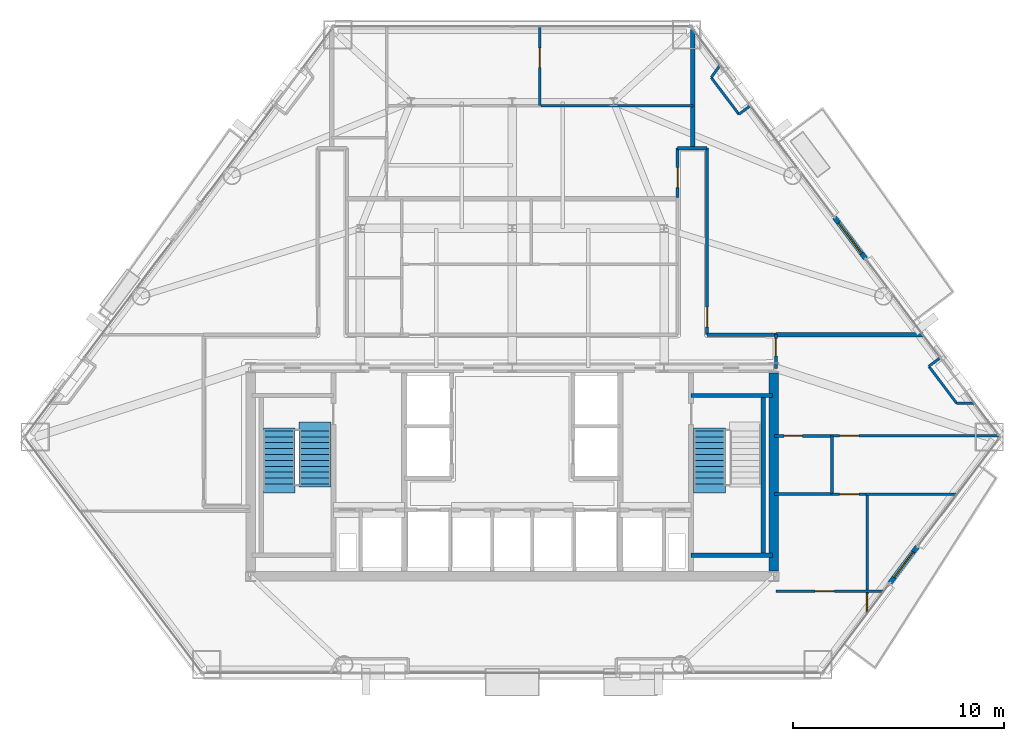
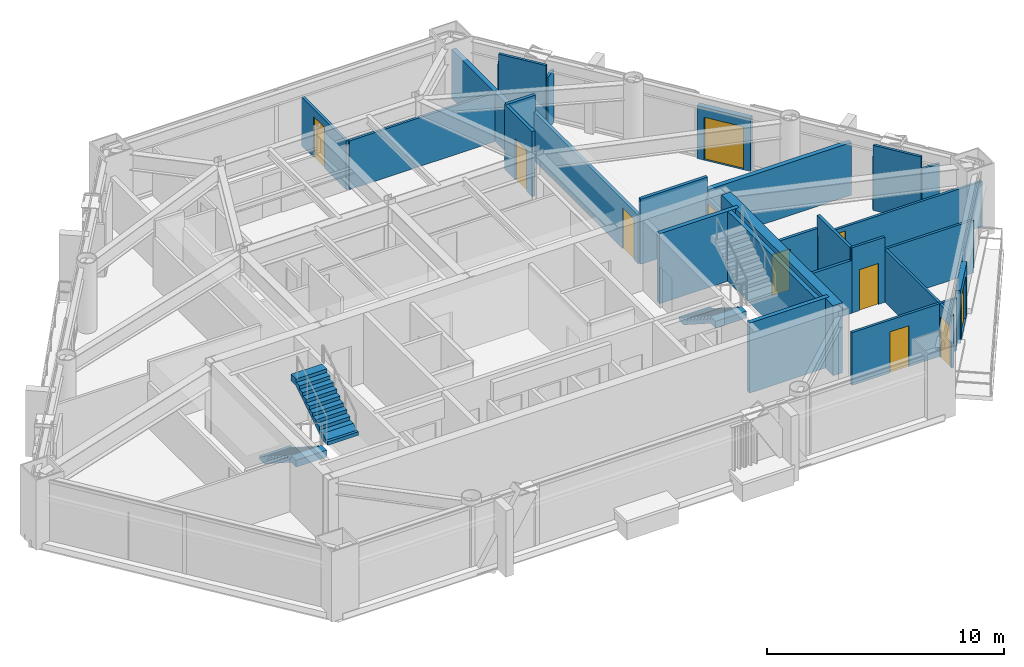
# One storey, part 8 of 11: 29 walls, 11 doors, 3 stair flights, 11 openings, 2 elements without a shape of their own.
"""IFC4 building model written with IfcOpenShell, lengths in metres."""

import ifcopenshell
import ifcopenshell.guid

model = None  # the IFC model being written
_history = None  # IfcOwnerHistory: only IFC2X3 demands one
_inside = {}  # id of a spatial element -> (the spatial element, [elements in it])
_under = {}  # id of a project, library or spatial element -> (it, [spatial elements below it])
_declared = {}  # id of a project -> (the project, [libraries it declares])
_typed = {}  # id of a type object -> (the type object, [elements of that type])
_made_of = {}  # id of a material, layer set ... -> (it, [elements and type objects made of it])


def new_model(schema):
    """Start an empty IFC model of exactly this schema.

    Asked for "IFC4X3", IfcOpenShell would pick the latest addendum, in which some entities
    have other attributes; the version numbers below select the first issue.
    IFC2X3 requires an IfcOwnerHistory on every rooted entity: one is made here for all.
    """
    global model, _history
    if schema == "IFC4X3":
        model = ifcopenshell.file(schema_version=(4, 3, 0, 0))
    else:
        model = ifcopenshell.file(schema=schema)
    _inside.clear()
    _under.clear()
    _declared.clear()
    _typed.clear()
    _made_of.clear()
    _history = None
    if model.schema == "IFC2X3":
        org = make("IfcOrganization", Name="unknown")
        user = make(
            "IfcPersonAndOrganization",
            ThePerson=make("IfcPerson", FamilyName="unknown"),
            TheOrganization=org,
        )
        app = make(
            "IfcApplication",
            ApplicationDeveloper=org,
            Version="unknown",
            ApplicationFullName="unknown",
            ApplicationIdentifier="unknown",
        )
        _history = make(
            "IfcOwnerHistory",
            OwningUser=user,
            OwningApplication=app,
            ChangeAction="ADDED",
            CreationDate=0,
        )
    return model


def make(cls, **values):
    """One entity of the class cls with the attributes given. An attribute that is None is left unset."""
    return model.create_entity(
        cls, **{name: value for name, value in values.items() if value is not None}
    )


def rooted(cls, **values):
    """An entity with a GlobalId (a new one), such as an element, a storey or a relation."""
    return make(cls, GlobalId=ifcopenshell.guid.new(), OwnerHistory=_history, **values)


def si_unit(unit_type, name, prefix=None):
    """IfcSIUnit, for example si_unit("LENGTHUNIT", "METRE", prefix="MILLI")."""
    return make("IfcSIUnit", UnitType=unit_type, Prefix=prefix, Name=name)


def assignment(units):
    """IfcUnitAssignment: the units of a project."""
    return None if units is None else make("IfcUnitAssignment", Units=units)


def point(xyz):
    """IfcCartesianPoint."""
    return None if xyz is None else make("IfcCartesianPoint", Coordinates=xyz)


def direction(xyz):
    """IfcDirection."""
    return None if xyz is None else make("IfcDirection", DirectionRatios=xyz)


def frame(location, z_axis=None, x_axis=None):
    """IfcAxis2Placement3D, a coordinate frame: its origin and axes. An axis left out is left unset."""
    return make(
        "IfcAxis2Placement3D",
        Location=point(location),
        Axis=direction(z_axis),
        RefDirection=direction(x_axis),
    )


def frame_2d(location, x_axis=None):
    """IfcAxis2Placement2D, a coordinate frame in the plane: its origin and x axis."""
    return make(
        "IfcAxis2Placement2D", Location=point(location), RefDirection=direction(x_axis)
    )


def origin():
    """The frame at (0, 0, 0) with its axes left unset."""
    return frame((0.0, 0.0, 0.0))


def place(relative_to, where):
    """IfcLocalPlacement: puts the frame where relative to a parent placement (None: the world)."""
    return make(
        "IfcLocalPlacement", PlacementRelTo=relative_to, RelativePlacement=where
    )


def context(
    kind, dimensions, precision=None, world=None, true_north=None, identifier=None
):
    """IfcGeometricRepresentationContext, for example the 3D "Model" context."""
    return make(
        "IfcGeometricRepresentationContext",
        ContextIdentifier=identifier,
        ContextType=kind,
        CoordinateSpaceDimension=dimensions,
        Precision=precision,
        WorldCoordinateSystem=world,
        TrueNorth=true_north,
    )


def subcontext(parent, identifier, kind, view, scale=None):
    """IfcGeometricRepresentationSubContext, for example "Body" below "Model"."""
    return make(
        "IfcGeometricRepresentationSubContext",
        ContextIdentifier=identifier,
        ContextType=kind,
        ParentContext=parent,
        TargetScale=scale,
        TargetView=view,
    )


def project(units=None, contexts=None):
    """IfcProject with its units and contexts."""
    return rooted(
        "IfcProject",
        Name="project",
        RepresentationContexts=contexts,
        UnitsInContext=assignment(units),
    )


def spatial(cls, under=None, at=None, **own):
    """A site, building, storey or space (cls), placed at a placement, below another one or the project."""
    s = rooted(cls, ObjectPlacement=at, **own)
    if under is not None:
        _under.setdefault(under.id(), (under, []))[1].append(s)
    return s


def polyline(points):
    """IfcPolyline through the points."""
    return make("IfcPolyline", Points=[point(p) for p in points])


def profile(cls, at=None, kind="AREA", **sizes):
    """A parametric profile (cls). Its sizes go by their IFC names, for example OverallWidth=200.0."""
    return make(cls, ProfileType=kind, Position=at, **sizes)


def rectangle(**sizes):
    """IfcRectangleProfileDef."""
    return profile("IfcRectangleProfileDef", **sizes)


def outline(outer, holes=None, kind="AREA"):
    """IfcArbitraryClosedProfileDef: a profile drawn as a closed curve; with holes, ...WithVoids."""
    if holes is None:
        return make("IfcArbitraryClosedProfileDef", ProfileType=kind, OuterCurve=outer)
    return make(
        "IfcArbitraryProfileDefWithVoids",
        ProfileType=kind,
        OuterCurve=outer,
        InnerCurves=holes,
    )


def extrude(swept, where, along, depth):
    """IfcExtrudedAreaSolid: the profile swept, set in the frame where, extruded along a direction by depth."""
    return make(
        "IfcExtrudedAreaSolid",
        SweptArea=swept,
        Position=where,
        ExtrudedDirection=direction(along),
        Depth=depth,
    )


def shape(context_of_items, identifier, shape_type, items):
    """IfcShapeRepresentation: the items that make up one representation, for example the "Body"."""
    return make(
        "IfcShapeRepresentation",
        ContextOfItems=context_of_items,
        RepresentationIdentifier=identifier,
        RepresentationType=shape_type,
        Items=items,
    )


def material(Name=None, Category=None):
    """IfcMaterial."""
    return make("IfcMaterial", Name=Name, Category=Category)


def layer(
    of_material, thickness, ventilated=None, Name=None, Category=None, Priority=None
):
    """IfcMaterialLayer: one layer of a wall or slab, of a material (None: an air gap)."""
    return make(
        "IfcMaterialLayer",
        Material=of_material,
        LayerThickness=thickness,
        IsVentilated=ventilated,
        Name=Name,
        Category=Category,
        Priority=Priority,
    )


def layer_set(layers, Name=None):
    """IfcMaterialLayerSet."""
    return make("IfcMaterialLayerSet", MaterialLayers=layers, LayerSetName=Name)


def made_of(thing, what):
    """Note that an element or type object is made of a material, layer set ...; save() writes the relation."""
    if what is not None:
        _made_of.setdefault(what.id(), (what, []))[1].append(thing)
    return thing


def type_object(cls, material=None, **own):
    """A type object (cls), such as IfcWallType, which elements share."""
    return made_of(rooted(cls, **own), material)


def element(
    cls,
    number,
    at=None,
    inside=None,
    cuts=None,
    type_object=None,
    material=None,
    context=None,
    identifier="Body",
    shape_type=None,
    held_by="IfcProductDefinitionShape",
    body=None,
    shapes=None,
    **own,
):
    """One element of the class cls, such as IfcWall. Its Tag is "e" and its number.

    at: its placement. inside: the storey or other place that contains it. cuts: it is an
    opening in that element (IfcRelVoidsElement). A single representation is given by context,
    identifier, shape_type and body (its items); several are given by shapes. held_by: the class
    of the entity that holds the representations. save() writes the other relations.
    """
    e = rooted(cls, Tag="e%d" % number, ObjectPlacement=at, **own)
    if body is not None:
        shapes = [shape(context, identifier, shape_type, body)]
    if shapes is not None:
        e.Representation = make(held_by, Representations=shapes)
    if inside is not None:
        _inside.setdefault(inside.id(), (inside, []))[1].append(e)
    if cuts is not None:
        rooted(
            "IfcRelVoidsElement", RelatingBuildingElement=cuts, RelatedOpeningElement=e
        )
    if type_object is not None:
        _typed.setdefault(type_object.id(), (type_object, []))[1].append(e)
    return made_of(e, material)


def fill(opening, filler):
    """IfcRelFillsElement: the door or window that sits in an opening."""
    return rooted(
        "IfcRelFillsElement",
        RelatingOpeningElement=opening,
        RelatedBuildingElement=filler,
    )


def aggregate(whole, parts):
    """IfcRelAggregates: a whole, such as a stair, and the parts it consists of."""
    return rooted("IfcRelAggregates", RelatingObject=whole, RelatedObjects=parts)


def save(model, path):
    """Write the relations noted so far, then the file.

    IfcRelAggregates (storeys below a building ...), IfcRelContainedInSpatialStructure (elements
    in a storey), IfcRelDefinesByType, IfcRelAssociatesMaterial and IfcRelDeclares: one each for
    every whole, place, type object, material and project.
    """
    for whole, parts in _under.values():
        aggregate(whole, parts)
    for where, things in _inside.values():
        rooted(
            "IfcRelContainedInSpatialStructure",
            RelatedElements=things,
            RelatingStructure=where,
        )
    for kind, things in _typed.values():
        rooted("IfcRelDefinesByType", RelatedObjects=things, RelatingType=kind)
    for what, things in _made_of.values():
        rooted("IfcRelAssociatesMaterial", RelatedObjects=things, RelatingMaterial=what)
    for by, libraries in _declared.values():
        rooted("IfcRelDeclares", RelatingContext=by, RelatedDefinitions=libraries)
    model.write(path)


model = new_model("IFC4")

# Units and contexts
model_context = context("Model", 3, precision=1e-05, world=origin(), true_north=direction((0.0, 1.0)))
body_context = subcontext(model_context, "Body", "Model", "MODEL_VIEW")
ifc_project = project(units=[si_unit("LENGTHUNIT", "METRE"), si_unit("AREAUNIT", "SQUARE_METRE"), si_unit("VOLUMEUNIT", "CUBIC_METRE"), si_unit("PLANEANGLEUNIT", "RADIAN"), si_unit("MASSUNIT", "GRAM", prefix="KILO")], contexts=[model_context])

# Site, building, storey
site_placement = place(None, origin())
site = spatial("IfcSite", under=ifc_project, at=site_placement, CompositionType="ELEMENT")
building_placement = place(site_placement, origin())
building = spatial("IfcBuilding", under=site, at=building_placement, Name="Talgorran Terracotta Tower", CompositionType="ELEMENT")
storey_placement = place(building_placement, frame((0.0, 0.0, 27.89990234375)))
storey = spatial("IfcBuildingStorey", under=building, at=storey_placement, Name="L06", CompositionType="ELEMENT", Elevation=27.89990234375)

# Wall, opening, door
ifc_material_1 = material(Name="Concrete C40/50", Category="concrete")
ifc_layer_1 = layer(ifc_material_1, 0.239990234375, Name="WT_BALCONY_SPAND")
ifc_layer_set_1 = layer_set([ifc_layer_1], Name="Concrete C40/50")
wall_type_1 = type_object("IfcWallType", Name="WT_BALCONY_SPAND", PredefinedType="STANDARD", material=ifc_layer_set_1)
wall_1_placement = place(storey_placement, frame((16.753173828125, 0.968505859375, -0.014892578125), z_axis=(0.0, 0.0, 1.0), x_axis=(-0.601871511513, 0.798592939882, 0.0)))
wall_1 = element("IfcWall", 1, at=wall_1_placement, inside=storey, type_object=wall_type_1, Name="WL-L06-BALP-BAL-NE", PredefinedType="STANDARD", context=body_context, shape_type="SweptSolid", body=[
    extrude(rectangle(XDim=2.43994140625, YDim=0.239990234375, at=frame_2d((1.219970703125, 0.0))), origin(), (0.0, 0.0, 1.0), 2.728271484375),
])
opening_1_placement = place(wall_1_placement, frame((0.320068359375, 0.0, 0.014892578125)))
opening_1 = element("IfcOpeningElement", 2, at=opening_1_placement, cuts=wall_1, Name="Opening D-BAL-L06-1", PredefinedType="OPENING", context=body_context, shape_type="SweptSolid", body=[
    extrude(rectangle(XDim=1.806048828125, YDim=2.203951171875, at=frame_2d((0.89990234375, 1.10205078125))), frame((0.0, 0.1298828125, 0.0), z_axis=(0.0, -1.0, 0.0), x_axis=(1.0, 0.0, 0.0)), (0.0, 0.0, 1.0), 0.260009765625),
])
ifc_material_2 = material(Name="Thermally Broken Aluminium", Category="aluminium")
door_type_1 = type_object("IfcDoorType", Name="DT_BALC_1800", OperationType="SLIDING_TO_LEFT", PredefinedType="DOOR", material=ifc_material_2)
door_1_placement = place(opening_1_placement, origin())
door_1 = element("IfcDoor", 3, at=door_1_placement, inside=storey, type_object=door_type_1, Name="DR-L06-BAL-BAL-NE", OperationType="SLIDING_TO_LEFT", OverallHeight=2.199951171875, OverallWidth=1.800048828125, PredefinedType="DOOR", context=body_context, shape_type="SweptSolid", body=[
    extrude(rectangle(XDim=1.800048828125, YDim=2.199951171875, at=frame_2d((0.89990234375, 1.10009765625))), frame((0.0, 0.02490234375, 0.0), z_axis=(0.0, -1.0, 0.0), x_axis=(1.0, 0.0, 0.0)), (0.0, 0.0, 1.0), 0.050048828125),
])
fill(opening_1, door_1)

wall_2_placement = place(storey_placement, frame((17.9169921875, -14.404541015625, -0.014892578125), z_axis=(0.0, 0.0, 1.0), x_axis=(0.601896635284, 0.798574004357, 0.0)))
wall_2 = element("IfcWall", 4, at=wall_2_placement, inside=storey, type_object=wall_type_1, Name="WL-L06-BALP-BAL-SE", PredefinedType="STANDARD", context=body_context, shape_type="SweptSolid", body=[
    extrude(rectangle(XDim=2.14013671875, YDim=0.239990234375, at=frame_2d((1.070068359375, 0.0))), origin(), (0.0, 0.0, 1.0), 2.728271484375),
])
opening_2_placement = place(wall_2_placement, frame((0.320068359375, 0.0, 0.014892578125)))
opening_2 = element("IfcOpeningElement", 5, at=opening_2_placement, cuts=wall_2, Name="Opening D-BAL-L06-3", PredefinedType="OPENING", context=body_context, shape_type="SweptSolid", body=[
    extrude(rectangle(XDim=1.506, YDim=2.203951171875, at=frame_2d((0.75, 1.10205078125))), frame((0.0, 0.1298828125, 0.0), z_axis=(0.0, -1.0, 0.0), x_axis=(1.0, 0.0, 0.0)), (0.0, 0.0, 1.0), 0.260009765625),
])
door_type_2 = type_object("IfcDoorType", Name="DT_BALC_1500", OperationType="SLIDING_TO_RIGHT", PredefinedType="DOOR", material=ifc_material_2)
door_2_placement = place(opening_2_placement, origin())
door_2 = element("IfcDoor", 6, at=door_2_placement, inside=storey, type_object=door_type_2, Name="DR-L06-BAL-BAL-SE", OperationType="SLIDING_TO_RIGHT", OverallHeight=2.199951171875, OverallWidth=1.5, PredefinedType="DOOR", context=body_context, shape_type="SweptSolid", body=[
    extrude(rectangle(XDim=1.5, YDim=2.199951171875, at=frame_2d((0.75, 1.10009765625))), frame((0.0, 0.02490234375, 0.0), z_axis=(0.0, -1.0, 0.0), x_axis=(1.0, 0.0, 0.0)), (0.0, 0.0, 1.0), 0.050048828125),
])
fill(opening_2, door_2)

# Walls
ifc_material_3 = material(Name="Concrete C50/60", Category="concrete")
ifc_layer_2 = layer(ifc_material_3, 0.199951171875, Name="WT_CORE_200")
ifc_layer_set_2 = layer_set([ifc_layer_2], Name="Concrete C50/60")
wall_type_2 = type_object("IfcWallType", Name="WT_CORE_200", PredefinedType="SOLIDWALL", material=ifc_layer_set_2)
for number, where, z_axis, x_axis, name in (
    (7, (8.47998046875, -5.52001953125, 0.0), (0.0, 0.0, 1.0), (1.0, 0.0, 0.0), "WL-L06-CW-ST2-N"),
    (8, (8.47998046875, -13.10009765625, 0.0), (0.0, 0.0, 1.0), (1.0, 0.0, 0.0), "WL-L06-CW-ST2-S"),
):
    element("IfcWall", number, at=place(storey_placement, frame(where, z_axis=z_axis, x_axis=x_axis)), inside=storey, type_object=wall_type_2, Name=name, PredefinedType="SOLIDWALL", context=body_context, shape_type="SweptSolid", body=[
        extrude(rectangle(XDim=3.8701171875, YDim=0.199951171875, at=frame_2d((1.93505859375, 0.0))), origin(), (0.0, 0.0, 1.0), 3.60009765625),
    ])
wall_3_placement = place(storey_placement, frame((11.89990234375, -13.10009765625, 0.0), z_axis=(0.0, 0.0, 1.0), x_axis=(0.0, 1.0, 0.0)))
element("IfcWall", 9, at=wall_3_placement, inside=storey, type_object=wall_type_2, Name="WL-L06-CW-ST2-E", PredefinedType="SOLIDWALL", context=body_context, shape_type="SweptSolid", body=[
    extrude(rectangle(XDim=7.580078125, YDim=0.199951171875, at=frame_2d((3.7900390625, 0.0))), origin(), (0.0, 0.0, 1.0), 3.60009765625),
])
ifc_material_4 = material(Name="Concrete C65/80", Category="concrete")
ifc_layer_3 = layer(ifc_material_4, 0.449951171875, Name="WT_CORE_EXT")
ifc_layer_set_3 = layer_set([ifc_layer_3], Name="Concrete C65/80")
wall_type_3 = type_object("IfcWallType", Name="WT_CORE_EXT", PredefinedType="SHEAR", material=ifc_layer_set_3)
wall_4_placement = place(storey_placement, frame((12.39990234375, -13.85009765625, 0.0), z_axis=(0.0, 0.0, 1.0), x_axis=(0.0, 1.0, 0.0)))
element("IfcWall", 10, at=wall_4_placement, inside=storey, type_object=wall_type_3, Name="WL-L06-CW-OUT-E", PredefinedType="SHEAR", context=body_context, shape_type="SweptSolid", body=[
    extrude(rectangle(XDim=9.400146484375, YDim=0.449951171875, at=frame_2d((4.7001953125, 0.0))), origin(), (0.0, 0.0, 1.0), 3.60009765625),
])

# Wall, opening, door
ifc_material_5 = material(Name="Fire-Rated Steel Stud Plasterboard", Category="steel")
ifc_layer_4 = layer(ifc_material_5, 0.14990234375, Name="WT_FIRE_150")
ifc_layer_set_4 = layer_set([ifc_layer_4], Name="Fire-Rated Steel Stud Plasterboard")
wall_type_4 = type_object("IfcWallType", Name="WT_FIRE_150", PredefinedType="PARTITIONING", material=ifc_layer_set_4)
wall_5_placement = place(storey_placement, frame((9.239990234375, -2.639892578125, 0.0), z_axis=(0.0, 0.0, 1.0), x_axis=(0.0, 1.0, 0.0)))
wall_5 = element("IfcWall", 11, at=wall_5_placement, inside=storey, type_object=wall_type_4, Name="WL-L06-W-L06-R18", PredefinedType="PARTITIONING", context=body_context, shape_type="SweptSolid", body=[
    extrude(rectangle(XDim=8.83984375, YDim=0.14990234375, at=frame_2d((4.419921875, 0.0))), origin(), (0.0, 0.0, 1.0), 2.509033203125),
])
opening_3_placement = place(wall_5_placement, frame((0.359130859375, 0.0, 0.0)))
opening_3 = element("IfcOpeningElement", 12, at=opening_3_placement, cuts=wall_5, Name="Opening DR-L06-R19", PredefinedType="OPENING", context=body_context, shape_type="SweptSolid", body=[
    extrude(rectangle(XDim=0.955951171875, YDim=2.10409765625, at=frame_2d((0.47509765625, 1.052001953125))), frame((0.0, 0.0849609375, 0.0), z_axis=(0.0, -1.0, 0.0), x_axis=(1.0, 0.0, 0.0)), (0.0, 0.0, 1.0), 0.169921875),
])
ifc_material_6 = material(Name="Fire-Rated Timber Core", Category="wood")
door_type_3 = type_object("IfcDoorType", Name="DT_FIRE_950", OperationType="NOTDEFINED", PredefinedType="DOOR", material=ifc_material_6)
door_3_placement = place(opening_3_placement, origin())
door_3 = element("IfcDoor", 13, at=door_3_placement, inside=storey, type_object=door_type_3, Name="DR-L06-R19", OperationType="SINGLE_SWING_LEFT", OverallHeight=2.10009765625, OverallWidth=0.949951171875, PredefinedType="DOOR", context=body_context, shape_type="SweptSolid", body=[
    extrude(rectangle(XDim=0.949951171875, YDim=2.10009765625, at=frame_2d((0.47509765625, 1.050048828125))), frame((0.0, 0.02490234375, 0.0), z_axis=(0.0, -1.0, 0.0), x_axis=(1.0, 0.0, 0.0)), (0.0, 0.0, 1.0), 0.050048828125),
])
fill(opening_3, door_3)

# Wall
wall_6_placement = place(storey_placement, frame((9.239990234375, -2.639892578125, 0.0), z_axis=(0.0, 0.0, 1.0), x_axis=(1.0, 0.0, 0.0)))
element("IfcWall", 14, at=wall_6_placement, inside=storey, type_object=wall_type_4, Name="WL-L06-W-L06-R19", PredefinedType="PARTITIONING", context=body_context, shape_type="SweptSolid", body=[
    extrude(rectangle(XDim=3.260009765625, YDim=0.14990234375, at=frame_2d((1.6298828125, 0.0))), origin(), (0.0, 0.0, 1.0), 3.35009765625),
])

# Wall, opening, door
wall_7_placement = place(storey_placement, frame((7.840087890625, 3.862060546875, 0.0), z_axis=(0.0, 0.0, 1.0), x_axis=(0.0, 1.0, 0.0)))
wall_7 = element("IfcWall", 15, at=wall_7_placement, inside=storey, type_object=wall_type_4, Name="WL-L06-W-L06-R15", PredefinedType="PARTITIONING", context=body_context, shape_type="SweptSolid", body=[
    extrude(rectangle(XDim=2.337890625, YDim=0.14990234375, at=frame_2d((1.1689453125, 0.0))), origin(), (0.0, 0.0, 1.0), 3.35009765625),
])
opening_4_placement = place(wall_7_placement, frame((0.47412109375, 0.0, 0.0)))
opening_4 = element("IfcOpeningElement", 16, at=opening_4_placement, cuts=wall_7, Name="Opening DR-L06-R16", PredefinedType="OPENING", context=body_context, shape_type="SweptSolid", body=[
    extrude(rectangle(XDim=0.955951171875, YDim=2.10409765625, at=frame_2d((0.47509765625, 1.052001953125))), frame((0.0, 0.0849609375, 0.0), z_axis=(0.0, -1.0, 0.0), x_axis=(1.0, 0.0, 0.0)), (0.0, 0.0, 1.0), 0.169921875),
])
door_4_placement = place(opening_4_placement, origin())
door_4 = element("IfcDoor", 17, at=door_4_placement, inside=storey, type_object=door_type_3, Name="DR-L06-R16", OperationType="SINGLE_SWING_RIGHT", OverallHeight=2.10009765625, OverallWidth=0.949951171875, PredefinedType="DOOR", context=body_context, shape_type="SweptSolid", body=[
    extrude(rectangle(XDim=0.949951171875, YDim=2.10009765625, at=frame_2d((0.47509765625, 1.050048828125))), frame((0.0, 0.02490234375, 0.0), z_axis=(0.0, -1.0, 0.0), x_axis=(1.0, 0.0, 0.0)), (0.0, 0.0, 1.0), 0.050048828125),
])
fill(opening_4, door_4)

wall_8_placement = place(storey_placement, frame((12.5, -4.239990234375, 0.0), z_axis=(0.0, 0.0, 1.0), x_axis=(0.0, 1.0, 0.0)))
wall_8 = element("IfcWall", 18, at=wall_8_placement, inside=storey, type_object=wall_type_4, Name="WL-L06-W-L06-R03", PredefinedType="PARTITIONING", context=body_context, shape_type="SweptSolid", body=[
    extrude(rectangle(XDim=1.60009765625, YDim=0.14990234375, at=frame_2d((0.800048828125, 0.0))), origin(), (0.0, 0.0, 1.0), 2.3251953125),
])
opening_5_placement = place(wall_8_placement, frame((0.602294921875, 0.0, 0.0)))
opening_5 = element("IfcOpeningElement", 19, at=opening_5_placement, cuts=wall_8, Name="Opening DR-L06-R03", PredefinedType="OPENING", context=body_context, shape_type="SweptSolid", body=[
    extrude(rectangle(XDim=0.826068359375, YDim=2.10409765625, at=frame_2d((0.41015625, 1.052001953125))), frame((0.0, 0.0849609375, 0.0), z_axis=(0.0, -1.0, 0.0), x_axis=(1.0, 0.0, 0.0)), (0.0, 0.0, 1.0), 0.169921875),
])
ifc_material_7 = material(Name="Moisture-Resistant Solid Timber", Category="wood")
door_type_4 = type_object("IfcDoorType", Name="DT_INT_820", OperationType="NOTDEFINED", PredefinedType="DOOR", material=ifc_material_7)
door_5_placement = place(opening_5_placement, origin())
door_5 = element("IfcDoor", 20, at=door_5_placement, inside=storey, type_object=door_type_4, Name="DR-L06-R03", OperationType="SINGLE_SWING_LEFT", OverallHeight=2.10009765625, OverallWidth=0.820068359375, PredefinedType="DOOR", context=body_context, shape_type="SweptSolid", body=[
    extrude(rectangle(XDim=0.820068359375, YDim=2.10009765625, at=frame_2d((0.41015625, 1.050048828125))), frame((0.0, 0.02490234375, 0.0), z_axis=(0.0, -1.0, 0.0), x_axis=(1.0, 0.0, 0.0)), (0.0, 0.0, 1.0), 0.050048828125),
])
fill(opening_5, door_5)

# Walls
wall_9_placement = place(storey_placement, frame((7.840087890625, 6.199951171875, 0.0), z_axis=(0.0, 0.0, 1.0), x_axis=(1.0, 0.0, 0.0)))
element("IfcWall", 21, at=wall_9_placement, inside=storey, type_object=wall_type_4, Name="WL-L06-W-L06-R16", PredefinedType="PARTITIONING", context=body_context, shape_type="SweptSolid", body=[
    extrude(rectangle(XDim=1.39990234375, YDim=0.14990234375, at=frame_2d((0.699951171875, 0.0))), origin(), (0.0, 0.0, 1.0), 3.35009765625),
])
ifc_material_8 = material(Name="Acoustic Masonry and Plasterboard", Category="masonry")
ifc_layer_5 = layer(ifc_material_8, 0.219970703125, Name="WT_PARTY_220")
ifc_layer_set_5 = layer_set([ifc_layer_5], Name="Acoustic Masonry and Plasterboard")
wall_type_5 = type_object("IfcWallType", Name="WT_PARTY_220", PredefinedType="PARTITIONING", material=ifc_layer_set_5)
wall_10_placement = place(storey_placement, frame((12.5, -2.639892578125, 0.0), z_axis=(0.0, 0.0, 1.0), x_axis=(1.0, 0.0, 0.0)))
element("IfcWall", 22, at=wall_10_placement, inside=storey, type_object=wall_type_5, Name="WL-L06-W-L06-R24", PredefinedType="PARTITIONING", context=body_context, shape_type="SweptSolid", body=[
    extrude(rectangle(XDim=6.972412109375, YDim=0.219970703125, at=frame_2d((3.486328125, 0.0))), origin(), (0.0, 0.0, 1.0), 2.71337890625),
])
wall_11_placement = place(storey_placement, frame((8.56005859375, 6.199951171875, 0.0), z_axis=(0.0, 0.0, 1.0), x_axis=(0.0, 1.0, 0.0)))
element("IfcWall", 23, at=wall_11_placement, inside=storey, type_object=wall_type_5, Name="WL-L06-W-L06-R53", PredefinedType="PARTITIONING", context=body_context, shape_type="SweptSolid", body=[
    extrude(rectangle(XDim=5.64111328125, YDim=0.219970703125, at=frame_2d((2.820556640625, 0.0))), origin(), (0.0, 0.0, 1.0), 2.509033203125),
])

# Wall, opening, door
ifc_material_9 = material(Name="Insulated Steel Stud Plasterboard", Category="steel")
ifc_layer_6 = layer(ifc_material_9, 0.1201171875, Name="WT_PART_120")
ifc_layer_set_6 = layer_set([ifc_layer_6], Name="Insulated Steel Stud Plasterboard")
wall_type_6 = type_object("IfcWallType", Name="WT_PART_120", PredefinedType="PARTITIONING", material=ifc_layer_set_6)
wall_12_placement = place(storey_placement, frame((15.080078125, -7.43994140625, 0.0), z_axis=(0.0, 0.0, 1.0), x_axis=(1.0, 0.0, 0.0)))
wall_12 = element("IfcWall", 24, at=wall_12_placement, inside=storey, type_object=wall_type_6, Name="WL-L06-W-L06-R23", PredefinedType="PARTITIONING", context=body_context, shape_type="SweptSolid", body=[
    extrude(rectangle(XDim=8.00927734375, YDim=0.1201171875, at=frame_2d((4.004638671875, 0.0))), origin(), (0.0, 0.0, 1.0), 2.3251953125),
])
opening_6_placement = place(wall_12_placement, frame((0.439453125, 0.0, 0.0)))
opening_6 = element("IfcOpeningElement", 25, at=opening_6_placement, cuts=wall_12, Name="Opening DR-L06-R05", PredefinedType="OPENING", context=body_context, shape_type="SweptSolid", body=[
    extrude(rectangle(XDim=0.925921875, YDim=2.10409765625, at=frame_2d((0.4599609375, 1.052001953125))), frame((0.0, 0.070068359375, 0.0), z_axis=(0.0, -1.0, 0.0), x_axis=(1.0, 0.0, 0.0)), (0.0, 0.0, 1.0), 0.14013671875),
])
ifc_material_10 = material(Name="Solid-Core Painted Timber", Category="wood")
door_type_5 = type_object("IfcDoorType", Name="DT_INT_920", OperationType="NOTDEFINED", PredefinedType="DOOR", material=ifc_material_10)
door_6_placement = place(opening_6_placement, origin())
door_6 = element("IfcDoor", 26, at=door_6_placement, inside=storey, type_object=door_type_5, Name="DR-L06-R05", OperationType="SINGLE_SWING_LEFT", OverallHeight=2.10009765625, OverallWidth=0.919921875, PredefinedType="DOOR", context=body_context, shape_type="SweptSolid", body=[
    extrude(rectangle(XDim=0.919921875, YDim=2.10009765625, at=frame_2d((0.4599609375, 1.050048828125))), frame((0.0, 0.02490234375, 0.0), z_axis=(0.0, -1.0, 0.0), x_axis=(1.0, 0.0, 0.0)), (0.0, 0.0, 1.0), 0.050048828125),
])
fill(opening_6, door_6)

# Wall
wall_13_placement = place(storey_placement, frame((1.362060546875, 8.219970703125, 0.0), z_axis=(0.0, 0.0, 1.0), x_axis=(1.0, 0.0, 0.0)))
element("IfcWall", 27, at=wall_13_placement, inside=storey, type_object=wall_type_6, Name="WL-L06-W-L06-R50", PredefinedType="PARTITIONING", context=body_context, shape_type="SweptSolid", body=[
    extrude(rectangle(XDim=7.197998046875, YDim=0.1201171875, at=frame_2d((3.59912109375, 0.0))), origin(), (0.0, 0.0, 1.0), 2.509033203125),
])

# Wall, opening, door
wall_14_placement = place(storey_placement, frame((16.820068359375, -15.860595703125, 0.0), z_axis=(0.0, 0.0, 1.0), x_axis=(0.0, 1.0, 0.0)))
wall_14 = element("IfcWall", 28, at=wall_14_placement, inside=storey, type_object=wall_type_6, Name="WL-L06-W-L06-R31", PredefinedType="PARTITIONING", context=body_context, shape_type="SweptSolid", body=[
    extrude(rectangle(XDim=5.66064453125, YDim=0.1201171875, at=frame_2d((2.830322265625, 0.0))), origin(), (0.0, 0.0, 1.0), 2.71337890625),
])
opening_7_placement = place(wall_14_placement, frame((0.10009765625, 0.0, 0.0)))
opening_7 = element("IfcOpeningElement", 29, at=opening_7_placement, cuts=wall_14, Name="Opening DR-L06-R06", PredefinedType="OPENING", context=body_context, shape_type="SweptSolid", body=[
    extrude(rectangle(XDim=0.826068359375, YDim=2.10409765625, at=frame_2d((0.41015625, 1.052001953125))), frame((0.0, 0.070068359375, 0.0), z_axis=(0.0, -1.0, 0.0), x_axis=(1.0, 0.0, 0.0)), (0.0, 0.0, 1.0), 0.14013671875),
])
door_7_placement = place(opening_7_placement, origin())
door_7 = element("IfcDoor", 30, at=door_7_placement, inside=storey, type_object=door_type_4, Name="DR-L06-R06", OperationType="SINGLE_SWING_RIGHT", OverallHeight=2.10009765625, OverallWidth=0.820068359375, PredefinedType="DOOR", context=body_context, shape_type="SweptSolid", body=[
    extrude(rectangle(XDim=0.820068359375, YDim=2.10009765625, at=frame_2d((0.41015625, 1.050048828125))), frame((0.0, 0.02490234375, 0.0), z_axis=(0.0, -1.0, 0.0), x_axis=(1.0, 0.0, 0.0)), (0.0, 0.0, 1.0), 0.050048828125),
])
fill(opening_7, door_7)

wall_15_placement = place(storey_placement, frame((12.5, -14.800048828125, 0.0), z_axis=(0.0, 0.0, 1.0), x_axis=(1.0, 0.0, 0.0)))
wall_15 = element("IfcWall", 31, at=wall_15_placement, inside=storey, type_object=wall_type_6, Name="WL-L06-W-L06-R29", PredefinedType="PARTITIONING", context=body_context, shape_type="SweptSolid", body=[
    extrude(rectangle(XDim=5.119140625, YDim=0.1201171875, at=frame_2d((2.5595703125, 0.0))), origin(), (0.0, 0.0, 1.0), 2.71337890625),
])
opening_8_placement = place(wall_15_placement, frame((1.85791015625, 0.0, 0.0)))
opening_8 = element("IfcOpeningElement", 32, at=opening_8_placement, cuts=wall_15, Name="Opening DR-L06-R07", PredefinedType="OPENING", context=body_context, shape_type="SweptSolid", body=[
    extrude(rectangle(XDim=0.925921875, YDim=2.10409765625, at=frame_2d((0.4599609375, 1.052001953125))), frame((0.0, 0.070068359375, 0.0), z_axis=(0.0, -1.0, 0.0), x_axis=(1.0, 0.0, 0.0)), (0.0, 0.0, 1.0), 0.14013671875),
])
door_8_placement = place(opening_8_placement, origin())
door_8 = element("IfcDoor", 33, at=door_8_placement, inside=storey, type_object=door_type_5, Name="DR-L06-R07", OperationType="SINGLE_SWING_LEFT", OverallHeight=2.10009765625, OverallWidth=0.919921875, PredefinedType="DOOR", context=body_context, shape_type="SweptSolid", body=[
    extrude(rectangle(XDim=0.919921875, YDim=2.10009765625, at=frame_2d((0.4599609375, 1.050048828125))), frame((0.0, 0.02490234375, 0.0), z_axis=(0.0, -1.0, 0.0), x_axis=(1.0, 0.0, 0.0)), (0.0, 0.0, 1.0), 0.050048828125),
])
fill(opening_8, door_8)

# Wall
wall_16_placement = place(storey_placement, frame((16.760009765625, -10.199951171875, 0.0), z_axis=(0.0, 0.0, 1.0), x_axis=(1.0, 0.0, 0.0)))
element("IfcWall", 34, at=wall_16_placement, inside=storey, type_object=wall_type_6, Name="WL-L06-W-L06-R28", PredefinedType="PARTITIONING", context=body_context, shape_type="SweptSolid", body=[
    extrude(rectangle(XDim=4.325439453125, YDim=0.1201171875, at=frame_2d((2.16259765625, 0.0))), origin(), (0.0, 0.0, 1.0), 2.71337890625),
])

# Wall, opening, door
wall_17_placement = place(storey_placement, frame((1.300048828125, 8.219970703125, 0.0), z_axis=(0.0, 0.0, 1.0), x_axis=(0.0, 1.0, 0.0)))
wall_17 = element("IfcWall", 35, at=wall_17_placement, inside=storey, type_object=wall_type_6, Name="WL-L06-W-L06-R52", PredefinedType="PARTITIONING", context=body_context, shape_type="SweptSolid", body=[
    extrude(rectangle(XDim=3.75048828125, YDim=0.1201171875, at=frame_2d((1.875244140625, 0.0))), origin(), (0.0, 0.0, 1.0), 2.509033203125),
])
opening_9_placement = place(wall_17_placement, frame((1.82080078125, 0.0, 0.0)))
opening_9 = element("IfcOpeningElement", 36, at=opening_9_placement, cuts=wall_17, Name="Opening DR-L06-R18", PredefinedType="OPENING", context=body_context, shape_type="SweptSolid", body=[
    extrude(rectangle(XDim=0.925921875, YDim=2.10409765625, at=frame_2d((0.4599609375, 1.052001953125))), frame((0.0, 0.070068359375, 0.0), z_axis=(0.0, -1.0, 0.0), x_axis=(1.0, 0.0, 0.0)), (0.0, 0.0, 1.0), 0.14013671875),
])
door_9_placement = place(opening_9_placement, origin())
door_9 = element("IfcDoor", 37, at=door_9_placement, inside=storey, type_object=door_type_5, Name="DR-L06-R18", OperationType="SINGLE_SWING_RIGHT", OverallHeight=2.10009765625, OverallWidth=0.919921875, PredefinedType="DOOR", context=body_context, shape_type="SweptSolid", body=[
    extrude(rectangle(XDim=0.919921875, YDim=2.10009765625, at=frame_2d((0.4599609375, 1.050048828125))), frame((0.0, 0.02490234375, 0.0), z_axis=(0.0, -1.0, 0.0), x_axis=(1.0, 0.0, 0.0)), (0.0, 0.0, 1.0), 0.050048828125),
])
fill(opening_9, door_9)

# Walls
wall_18_placement = place(storey_placement, frame((21.0634765625, -5.88134765625, 0.0), z_axis=(0.0, 0.0, 1.0), x_axis=(-0.601772594651, 0.798667480449, 0.0)))
element("IfcWall", 38, at=wall_18_placement, inside=storey, type_object=wall_type_6, Name="WL-L06-BW-L06-12", PredefinedType="PARTITIONING", context=body_context, shape_type="SweptSolid", body=[
    extrude(rectangle(XDim=2.179931640625, YDim=0.1201171875, at=frame_2d((1.08984375, 0.0))), origin(), (0.0, 0.0, 1.0), 3.35009765625),
])
wall_19_placement = place(storey_placement, frame((10.74609375, 7.810302734375, 0.0), z_axis=(0.0, 0.0, 1.0), x_axis=(-0.601897859726, 0.798573081475, 0.0)))
element("IfcWall", 39, at=wall_19_placement, inside=storey, type_object=wall_type_6, Name="WL-L06-BW-L06-17", PredefinedType="PARTITIONING", context=body_context, shape_type="SweptSolid", body=[
    extrude(rectangle(XDim=2.1796875, YDim=0.1201171875, at=frame_2d((1.08984375, 0.0))), origin(), (0.0, 0.0, 1.0), 3.35009765625),
])

# Wall, opening, door
wall_20_placement = place(storey_placement, frame((15.159912109375, -10.199951171875, 0.0), z_axis=(0.0, 0.0, 1.0), x_axis=(1.0, 0.0, 0.0)))
wall_20 = element("IfcWall", 40, at=wall_20_placement, inside=storey, type_object=wall_type_6, Name="WL-L06-W-L06-R27", PredefinedType="PARTITIONING", context=body_context, shape_type="SweptSolid", body=[
    extrude(rectangle(XDim=1.59814453125, YDim=0.1201171875, at=frame_2d((0.799072265625, 0.0))), origin(), (0.0, 0.0, 1.0), 3.35009765625),
])
opening_10_placement = place(wall_20_placement, frame((0.360107421875, 0.0, 0.0)))
opening_10 = element("IfcOpeningElement", 41, at=opening_10_placement, cuts=wall_20, Name="Opening DR-L06-R20", PredefinedType="OPENING", context=body_context, shape_type="SweptSolid", body=[
    extrude(rectangle(XDim=0.925921875, YDim=2.10409765625, at=frame_2d((0.4599609375, 1.052001953125))), frame((0.0, 0.070068359375, 0.0), z_axis=(0.0, -1.0, 0.0), x_axis=(1.0, 0.0, 0.0)), (0.0, 0.0, 1.0), 0.14013671875),
])
door_10_placement = place(opening_10_placement, origin())
door_10 = element("IfcDoor", 42, at=door_10_placement, inside=storey, type_object=door_type_5, Name="DR-L06-R20", OperationType="SINGLE_SWING_RIGHT", OverallHeight=2.10009765625, OverallWidth=0.919921875, PredefinedType="DOOR", context=body_context, shape_type="SweptSolid", body=[
    extrude(rectangle(XDim=0.919921875, YDim=2.10009765625, at=frame_2d((0.4599609375, 1.050048828125))), frame((0.0, 0.02490234375, 0.0), z_axis=(0.0, -1.0, 0.0), x_axis=(1.0, 0.0, 0.0)), (0.0, 0.0, 1.0), 0.050048828125),
])
fill(opening_10, door_10)

# Walls
wall_21_placement = place(storey_placement, frame((21.910888671875, -5.892822265625, 0.0), z_axis=(0.0, 0.0, 1.0), x_axis=(-0.999908336428, 0.013539525155, 0.0)))
element("IfcWall", 43, at=wall_21_placement, inside=storey, type_object=wall_type_6, Name="WL-L06-BW-L06-11", PredefinedType="PARTITIONING", context=body_context, shape_type="SweptSolid", body=[
    extrude(rectangle(XDim=0.847412109375, YDim=0.1201171875, at=frame_2d((0.423828125, 0.0))), origin(), (0.0, 0.0, 1.0), 2.71337890625),
])
wall_22_placement = place(storey_placement, frame((9.43408203125, 9.551025390625, 0.0), z_axis=(0.0, 0.0, 1.0), x_axis=(0.5781810232, 0.815908514732, 0.0)))
element("IfcWall", 44, at=wall_22_placement, inside=storey, type_object=wall_type_6, Name="WL-L06-BW-L06-18", PredefinedType="PARTITIONING", context=body_context, shape_type="SweptSolid", body=[
    extrude(rectangle(XDim=0.703369140625, YDim=0.1201171875, at=frame_2d((0.3515625, 0.0))), origin(), (0.0, 0.0, 1.0), 2.71337890625),
])
for number, where, z_axis, x_axis, name in (
    (45, (19.751708984375, -4.140380859375, 0.0), (0.0, 0.0, 1.0), (0.798641978857, 0.601806438655, 0.0), "WL-L06-BW-L06-10"),
    (46, (11.281005859375, 8.21337890625, 0.0), (0.0, 0.0, 1.0), (-0.798641978857, -0.601806438655, 0.0), "WL-L06-BW-L06-16"),
):
    element("IfcWall", number, at=place(storey_placement, frame(where, z_axis=z_axis, x_axis=x_axis)), inside=storey, type_object=wall_type_6, Name=name, PredefinedType="PARTITIONING", context=body_context, shape_type="SweptSolid", body=[
        extrude(rectangle(XDim=0.669677734375, YDim=0.1201171875, at=frame_2d((0.3349609375, 0.0))), origin(), (0.0, 0.0, 1.0), 2.71337890625),
    ])

# Wall, opening, door
ifc_material_11 = material(Name="Moisture-Resistant Stud Wall")
ifc_layer_7 = layer(ifc_material_11, 0.135009765625, Name="WT_PART_135")
ifc_layer_set_7 = layer_set([ifc_layer_7], Name="Moisture-Resistant Stud Wall")
wall_type_7 = type_object("IfcWallType", Name="WT_PART_135", PredefinedType="PARTITIONING", material=ifc_layer_set_7)
wall_23_placement = place(storey_placement, frame((12.43994140625, -7.43994140625, 0.0), z_axis=(0.0, 0.0, 1.0), x_axis=(1.0, 0.0, 0.0)))
wall_23 = element("IfcWall", 47, at=wall_23_placement, inside=storey, type_object=wall_type_7, Name="WL-L06-W-L06-R22", PredefinedType="PARTITIONING", context=body_context, shape_type="SweptSolid", body=[
    extrude(rectangle(XDim=2.637939453125, YDim=0.135009765625, at=frame_2d((1.31884765625, 0.0))), origin(), (0.0, 0.0, 1.0), 2.71337890625),
])
opening_11_placement = place(wall_23_placement, frame((0.458251953125, 0.0, 0.0)))
opening_11 = element("IfcOpeningElement", 48, at=opening_11_placement, cuts=wall_23, Name="Opening DR-L06-R04", PredefinedType="OPENING", context=body_context, shape_type="SweptSolid", body=[
    extrude(rectangle(XDim=0.85609765625, YDim=2.10409765625, at=frame_2d((0.425048828125, 1.052001953125))), frame((0.0, 0.07763671875, 0.0), z_axis=(0.0, -1.0, 0.0), x_axis=(1.0, 0.0, 0.0)), (0.0, 0.0, 1.0), 0.155029296875),
])
door_type_6 = type_object("IfcDoorType", Name="DT_INT_850", OperationType="NOTDEFINED", PredefinedType="DOOR", material=ifc_material_7)
door_11_placement = place(opening_11_placement, origin())
door_11 = element("IfcDoor", 49, at=door_11_placement, inside=storey, type_object=door_type_6, Name="DR-L06-R04", OperationType="SINGLE_SWING_RIGHT", OverallHeight=2.10009765625, OverallWidth=0.85009765625, PredefinedType="DOOR", context=body_context, shape_type="SweptSolid", body=[
    extrude(rectangle(XDim=0.85009765625, YDim=2.10009765625, at=frame_2d((0.425048828125, 1.050048828125))), frame((0.0, 0.02490234375, 0.0), z_axis=(0.0, -1.0, 0.0), x_axis=(1.0, 0.0, 0.0)), (0.0, 0.0, 1.0), 0.050048828125),
])
fill(opening_11, door_11)

# Walls
wall_24_placement = place(storey_placement, frame((15.159912109375, -10.199951171875, 0.0), z_axis=(0.0, 0.0, 1.0), x_axis=(0.0, 1.0, 0.0)))
element("IfcWall", 50, at=wall_24_placement, inside=storey, type_object=wall_type_7, Name="WL-L06-W-L06-R25", PredefinedType="PARTITIONING", context=body_context, shape_type="SweptSolid", body=[
    extrude(rectangle(XDim=2.760009765625, YDim=0.135009765625, at=frame_2d((1.3798828125, 0.0))), origin(), (0.0, 0.0, 1.0), 3.35009765625),
])
wall_25_placement = place(storey_placement, frame((12.43994140625, -10.199951171875, 0.0), z_axis=(0.0, 0.0, 1.0), x_axis=(1.0, 0.0, 0.0)))
element("IfcWall", 51, at=wall_25_placement, inside=storey, type_object=wall_type_7, Name="WL-L06-W-L06-R26", PredefinedType="PARTITIONING", context=body_context, shape_type="SweptSolid", body=[
    extrude(rectangle(XDim=2.719970703125, YDim=0.135009765625, at=frame_2d((1.35986328125, 0.0))), origin(), (0.0, 0.0, 1.0), 2.71337890625),
])

# Stair, stair flights
stair_type = type_object("IfcStairType", Name="ST_FIRE_SCISSOR", PredefinedType="HALF_TURN_STAIR", material=ifc_material_1)
stair_1_placement = place(storey_placement, origin())
stair_1 = element("IfcStair", 52, at=stair_1_placement, inside=storey, type_object=stair_type, Name="L06 West Protected Fire Stair ST-01", PredefinedType="HALF_TURN_STAIR")
ifc_layer_8 = layer(ifc_material_1, 0.179931640625, Name="STF_RC_1500")
ifc_layer_set_8 = layer_set([ifc_layer_8], Name="Concrete C40/50")
stair_flight_type = type_object("IfcStairFlightType", Name="STF_RC_1500", PredefinedType="STRAIGHT", material=ifc_layer_set_8)
stair_flight_1_placement = place(storey_placement, frame((-11.050048828125, -7.199951171875, 0.0), z_axis=(0.0, 0.0, 1.0), x_axis=(0.0, -1.0, 0.0)))
stair_flight_1 = element("IfcStairFlight", 53, at=stair_flight_1_placement, type_object=stair_flight_type, Name="ST-01 flight 1", NumberOfRisers=10, NumberOfTreads=9, PredefinedType="STRAIGHT", RiserHeight=0.18, TreadLength=0.28, context=body_context, shape_type="SweptSolid", body=[
    extrude(outline(polyline([(-0.139892578125, 0.0), (-0.139892578125, 0.179931640625), (0.0, 0.179931640625), (0.280029296875, 0.360107421875), (0.56005859375, 0.360107421875), (0.56005859375, 0.5400390625), (0.840087890625, 0.5400390625), (0.840087890625, 0.719970703125), (1.1201171875, 0.719970703125), (1.1201171875, 0.89990234375), (1.39990234375, 0.89990234375), (1.39990234375, 1.080078125), (1.679931640625, 1.080078125), (1.679931640625, 1.260009765625), (1.9599609375, 1.260009765625), (1.9599609375, 1.43994140625), (2.239990234375, 1.43994140625), (2.239990234375, 1.6201171875), (2.52001953125, 1.6201171875), (2.52001953125, 1.800048828125), (2.93994140625, 1.800048828125), (2.93994140625, 1.44189453125), (2.52001953125, 1.44189453125), (0.277099609375, 0.0), (-0.139892578125, 0.0)])), frame((0.0, 0.75, 0.0), z_axis=(0.0, -1.0, 0.0), x_axis=(1.0, 0.0, 0.0)), (0.0, 0.0, 1.0), 1.5),
])
stair_flight_2_placement = place(storey_placement, frame((-9.35009765625, -9.719970703125, 1.800048828125), z_axis=(0.0, 0.0, 1.0), x_axis=(0.0, 1.0, 0.0)))
stair_flight_2 = element("IfcStairFlight", 54, at=stair_flight_2_placement, type_object=stair_flight_type, Name="ST-01 flight 2", NumberOfRisers=10, NumberOfTreads=9, PredefinedType="STRAIGHT", RiserHeight=0.18, TreadLength=0.28, context=body_context, shape_type="SweptSolid", body=[
    extrude(outline(polyline([(-0.139892578125, 0.0), (-0.139892578125, 0.179931640625), (0.0, 0.179931640625), (0.280029296875, 0.360107421875), (0.56005859375, 0.360107421875), (0.56005859375, 0.5400390625), (0.840087890625, 0.5400390625), (0.840087890625, 0.719970703125), (1.1201171875, 0.719970703125), (1.1201171875, 0.89990234375), (1.39990234375, 0.89990234375), (1.39990234375, 1.080078125), (1.679931640625, 1.080078125), (1.679931640625, 1.260009765625), (1.9599609375, 1.260009765625), (1.9599609375, 1.43994140625), (2.239990234375, 1.43994140625), (2.239990234375, 1.6201171875), (2.52001953125, 1.6201171875), (2.52001953125, 1.800048828125), (2.93994140625, 1.800048828125), (2.93994140625, 1.44189453125), (2.52001953125, 1.44189453125), (0.277099609375, 0.0), (-0.139892578125, 0.0)])), frame((0.0, 0.75, 0.0), z_axis=(0.0, -1.0, 0.0), x_axis=(1.0, 0.0, 0.0)), (0.0, 0.0, 1.0), 1.5),
])
aggregate(stair_1, [stair_flight_1, stair_flight_2])

# Stair, stair flight
stair_2_placement = place(storey_placement, origin())
stair_2 = element("IfcStair", 55, at=stair_2_placement, inside=storey, type_object=stair_type, Name="L06 East Protected Fire Stair ST-02", PredefinedType="HALF_TURN_STAIR")
stair_flight_3_placement = place(storey_placement, frame((9.35009765625, -7.199951171875, 0.0), z_axis=(0.0, 0.0, 1.0), x_axis=(0.0, -1.0, 0.0)))
stair_flight_3 = element("IfcStairFlight", 56, at=stair_flight_3_placement, type_object=stair_flight_type, Name="ST-02 flight 1", NumberOfRisers=10, NumberOfTreads=9, PredefinedType="STRAIGHT", RiserHeight=0.18, TreadLength=0.28, context=body_context, shape_type="SweptSolid", body=[
    extrude(outline(polyline([(-0.139892578125, 0.0), (-0.139892578125, 0.179931640625), (0.0, 0.179931640625), (0.280029296875, 0.360107421875), (0.56005859375, 0.360107421875), (0.56005859375, 0.5400390625), (0.840087890625, 0.5400390625), (0.840087890625, 0.719970703125), (1.1201171875, 0.719970703125), (1.1201171875, 0.89990234375), (1.39990234375, 0.89990234375), (1.39990234375, 1.080078125), (1.679931640625, 1.080078125), (1.679931640625, 1.260009765625), (1.9599609375, 1.260009765625), (1.9599609375, 1.43994140625), (2.239990234375, 1.43994140625), (2.239990234375, 1.6201171875), (2.52001953125, 1.6201171875), (2.52001953125, 1.800048828125), (2.93994140625, 1.800048828125), (2.93994140625, 1.44189453125), (2.52001953125, 1.44189453125), (0.277099609375, 0.0), (-0.139892578125, 0.0)])), frame((0.0, 0.75, 0.0), z_axis=(0.0, -1.0, 0.0), x_axis=(1.0, 0.0, 0.0)), (0.0, 0.0, 1.0), 1.5),
])
aggregate(stair_2, [stair_flight_3])

save(model, "model.ifc")
